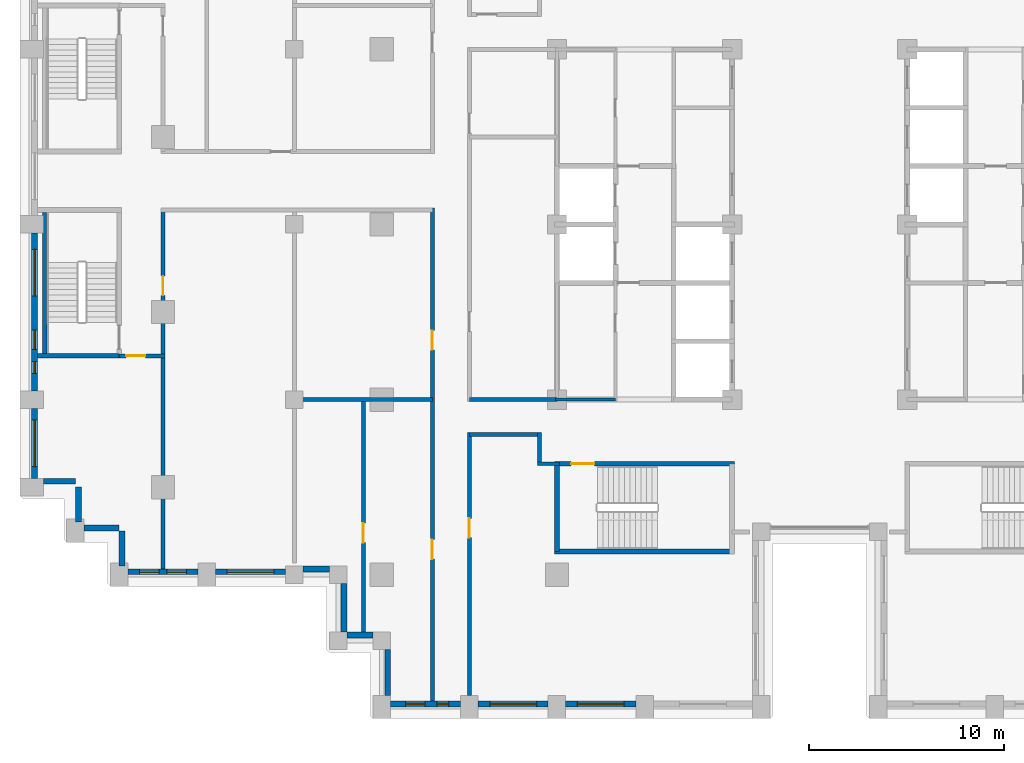
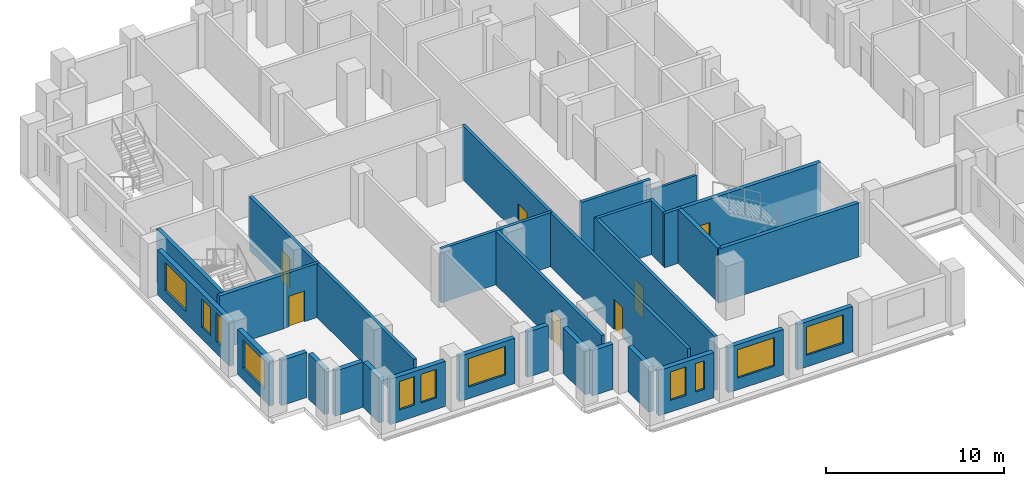
# One storey, part 6 of 15: 31 walls, 11 windows, 7 doors, 18 openings.
"""IFC4 building model written with IfcOpenShell, lengths in metres."""

from ifc_helpers import new_model, si_unit, direction, frame, frame_2d, origin, place, context, subcontext, project, spatial, rectangle, extrude, material, layer, layer_set, type_object, element, fill, save


model = new_model("IFC4")

# Units and contexts
model_context = context("Model", 3, precision=1e-05, world=origin(), true_north=direction((0.0, 1.0)))
body_context = subcontext(model_context, "Body", "Model", "MODEL_VIEW")
ifc_project = project(units=[si_unit("LENGTHUNIT", "METRE"), si_unit("AREAUNIT", "SQUARE_METRE"), si_unit("VOLUMEUNIT", "CUBIC_METRE"), si_unit("PLANEANGLEUNIT", "RADIAN"), si_unit("MASSUNIT", "GRAM", prefix="KILO")], contexts=[model_context])

# Site, building, storey
site_placement = place(None, origin())
site = spatial("IfcSite", under=ifc_project, at=site_placement, CompositionType="ELEMENT")
building_placement = place(site_placement, origin())
building = spatial("IfcBuilding", under=site, at=building_placement, Name="Corbelhall Arena Tower", CompositionType="ELEMENT")
storey_placement = place(building_placement, frame((0.0, 0.0, 100.0)))
storey = spatial("IfcBuildingStorey", under=building, at=storey_placement, Name="L17", CompositionType="ELEMENT", Elevation=100.0)

# Walls
ifc_material_1 = material(Name="Precast concrete C40/50 with granite facing", Category="masonry")
ifc_layer_1 = layer(ifc_material_1, 0.300048828125)
ifc_layer_set_1 = layer_set([ifc_layer_1], Name="EV-IW1 Infill panel 300")
wall_type_1 = type_object("IfcWallType", Name="EV-IW1 Infill panel 300", PredefinedType="SOLIDWALL", material=ifc_layer_set_1)
wall_1_placement = place(storey_placement, frame((-39.89990234375, -13.199951171875, 0.0), z_axis=(0.0, 0.0, 1.0), x_axis=(1.0, 0.0, 0.0)))
element("IfcWall", 1, at=wall_1_placement, inside=storey, type_object=wall_type_1, Name="Infill panel IW1", PredefinedType="SOLIDWALL", context=body_context, shape_type="SweptSolid", body=[
    extrude(rectangle(XDim=1.64990234375, YDim=0.300048828125, at=frame_2d((0.824951171875, 0.0))), origin(), (0.0, 0.0, 1.0), 3.10009765625),
])
for number, where, z_axis, x_axis, name in (
    (2, (-38.10009765625, -15.300048828125, 0.0), (0.0, 0.0, 1.0), (0.0, 1.0, 0.0), "Infill panel IW1"),
    (3, (-37.800048828125, -15.60009765625, 0.0), (0.0, 0.0, 1.0), (1.0, 0.0, 0.0), "Infill panel IW1"),
    (4, (-35.85009765625, -17.550048828125, 0.0), (0.0, 0.0, 1.0), (0.0, 1.0, 0.0), "Infill panel IW1"),
):
    element("IfcWall", number, at=place(storey_placement, frame(where, z_axis=z_axis, x_axis=x_axis)), inside=storey, type_object=wall_type_1, Name=name, PredefinedType="SOLIDWALL", context=body_context, shape_type="SweptSolid", body=[
        extrude(rectangle(XDim=1.800048828125, YDim=0.300048828125, at=frame_2d((0.89990234375, 0.0))), origin(), (0.0, 0.0, 1.0), 3.10009765625),
    ])

# Wall, openings, windows
wall_2_placement = place(storey_placement, frame((-40.35009765625, -0.449951171875, 0.0), z_axis=(0.0, 0.0, 1.0), x_axis=(0.0, -1.0, 0.0)))
wall_2 = element("IfcWall", 5, at=wall_2_placement, inside=storey, type_object=wall_type_1, Name="Infill panel IW1", PredefinedType="SOLIDWALL", context=body_context, shape_type="SweptSolid", body=[
    extrude(rectangle(XDim=8.10009765625, YDim=0.300048828125, at=frame_2d((4.050048828125, 0.0))), origin(), (0.0, 0.0, 1.0), 3.10009765625),
])
opening_1_placement = place(wall_2_placement, frame((0.824951171875, 0.0, 0.800048828125)))
opening_1 = element("IfcOpeningElement", 6, at=opening_1_placement, cuts=wall_2, Name="Opening WN1", PredefinedType="OPENING", context=body_context, shape_type="SweptSolid", body=[
    extrude(rectangle(XDim=2.39990234375, YDim=1.949951171875, at=frame_2d((1.199951171875, 0.97509765625))), frame((0.0, 0.14990234375, 0.0), z_axis=(0.0, -1.0, 0.0), x_axis=(1.0, 0.0, 0.0)), (0.0, 0.0, 1.0), 0.300048828125),
])
opening_2_placement = place(wall_2_placement, frame((4.97509765625, 0.0, 0.800048828125)))
opening_2 = element("IfcOpeningElement", 7, at=opening_2_placement, cuts=wall_2, Name="Opening WN6", PredefinedType="OPENING", context=body_context, shape_type="SweptSolid", body=[
    extrude(rectangle(XDim=1.0, YDim=1.949951171875, at=frame_2d((0.5, 0.97509765625))), frame((0.0, 0.14990234375, 0.0), z_axis=(0.0, -1.0, 0.0), x_axis=(1.0, 0.0, 0.0)), (0.0, 0.0, 1.0), 0.300048828125),
])
opening_3_placement = place(wall_2_placement, frame((6.60009765625, 0.0, 0.800048828125)))
opening_3 = element("IfcOpeningElement", 8, at=opening_3_placement, cuts=wall_2, Name="Opening WN5", PredefinedType="OPENING", context=body_context, shape_type="SweptSolid", body=[
    extrude(rectangle(XDim=0.60009765625, YDim=1.949951171875, at=frame_2d((0.300048828125, 0.97509765625))), frame((0.0, 0.14990234375, 0.0), z_axis=(0.0, -1.0, 0.0), x_axis=(1.0, 0.0, 0.0)), (0.0, 0.0, 1.0), 0.300048828125),
])
ifc_material_2 = material(Name="Aluminium black anodised", Category="aluminium")
window_type_1 = type_object("IfcWindowType", Name="EV-WN1 Office window", PartitioningType="SINGLE_PANEL", PredefinedType="WINDOW", material=ifc_material_2)
window_1_placement = place(opening_1_placement, origin())
window_1 = element("IfcWindow", 9, at=window_1_placement, inside=storey, type_object=window_type_1, Name="Window WN1", OverallHeight=1.949951171875, OverallWidth=2.39990234375, PartitioningType="SINGLE_PANEL", PredefinedType="WINDOW", context=body_context, shape_type="SweptSolid", body=[
    extrude(rectangle(XDim=2.39990234375, YDim=1.949951171875, at=frame_2d((1.199951171875, 0.97509765625))), frame((0.0, 0.030029296875, 0.0), z_axis=(0.0, -1.0, 0.0), x_axis=(1.0, 0.0, 0.0)), (0.0, 0.0, 1.0), 0.06005859375),
])
fill(opening_1, window_1)
window_type_2 = type_object("IfcWindowType", Name="EV-WN5 Office window 600", PartitioningType="SINGLE_PANEL", PredefinedType="WINDOW", material=ifc_material_2)
window_2_placement = place(opening_3_placement, origin())
window_2 = element("IfcWindow", 10, at=window_2_placement, inside=storey, type_object=window_type_2, Name="Window WN5", OverallHeight=1.949951171875, OverallWidth=0.60009765625, PartitioningType="SINGLE_PANEL", PredefinedType="WINDOW", context=body_context, shape_type="SweptSolid", body=[
    extrude(rectangle(XDim=0.60009765625, YDim=1.949951171875, at=frame_2d((0.300048828125, 0.97509765625))), frame((0.0, 0.030029296875, 0.0), z_axis=(0.0, -1.0, 0.0), x_axis=(1.0, 0.0, 0.0)), (0.0, 0.0, 1.0), 0.06005859375),
])
fill(opening_3, window_2)
window_type_3 = type_object("IfcWindowType", Name="EV-WN6 Office window 1000", PartitioningType="SINGLE_PANEL", PredefinedType="WINDOW", material=ifc_material_2)
window_3_placement = place(opening_2_placement, origin())
window_3 = element("IfcWindow", 11, at=window_3_placement, inside=storey, type_object=window_type_3, Name="Window WN6", OverallHeight=1.949951171875, OverallWidth=1.0, PartitioningType="SINGLE_PANEL", PredefinedType="WINDOW", context=body_context, shape_type="SweptSolid", body=[
    extrude(rectangle(XDim=1.0, YDim=1.949951171875, at=frame_2d((0.5, 0.97509765625))), frame((0.0, 0.030029296875, 0.0), z_axis=(0.0, -1.0, 0.0), x_axis=(1.0, 0.0, 0.0)), (0.0, 0.0, 1.0), 0.06005859375),
])
fill(opening_2, window_3)

# Wall, opening, window
wall_3_placement = place(storey_placement, frame((-40.35009765625, -9.449951171875, 0.0), z_axis=(0.0, 0.0, 1.0), x_axis=(0.0, -1.0, 0.0)))
wall_3 = element("IfcWall", 12, at=wall_3_placement, inside=storey, type_object=wall_type_1, Name="Infill panel IW1", PredefinedType="SOLIDWALL", context=body_context, shape_type="SweptSolid", body=[
    extrude(rectangle(XDim=3.60009765625, YDim=0.300048828125, at=frame_2d((1.800048828125, 0.0))), origin(), (0.0, 0.0, 1.0), 3.10009765625),
])
opening_4_placement = place(wall_3_placement, frame((0.60009765625, 0.0, 0.800048828125)))
opening_4 = element("IfcOpeningElement", 13, at=opening_4_placement, cuts=wall_3, Name="Opening WN1", PredefinedType="OPENING", context=body_context, shape_type="SweptSolid", body=[
    extrude(rectangle(XDim=2.39990234375, YDim=1.949951171875, at=frame_2d((1.199951171875, 0.97509765625))), frame((0.0, 0.14990234375, 0.0), z_axis=(0.0, -1.0, 0.0), x_axis=(1.0, 0.0, 0.0)), (0.0, 0.0, 1.0), 0.300048828125),
])
window_4_placement = place(opening_4_placement, origin())
window_4 = element("IfcWindow", 14, at=window_4_placement, inside=storey, type_object=window_type_1, Name="Window WN1", OverallHeight=1.949951171875, OverallWidth=2.39990234375, PartitioningType="SINGLE_PANEL", PredefinedType="WINDOW", context=body_context, shape_type="SweptSolid", body=[
    extrude(rectangle(XDim=2.39990234375, YDim=1.949951171875, at=frame_2d((1.199951171875, 0.97509765625))), frame((0.0, 0.030029296875, 0.0), z_axis=(0.0, -1.0, 0.0), x_axis=(1.0, 0.0, 0.0)), (0.0, 0.0, 1.0), 0.06005859375),
])
fill(opening_4, window_4)

# Wall, openings, windows
wall_4_placement = place(storey_placement, frame((-35.550048828125, -17.85009765625, 0.0), z_axis=(0.0, 0.0, 1.0), x_axis=(1.0, 0.0, 0.0)))
wall_4 = element("IfcWall", 15, at=wall_4_placement, inside=storey, type_object=wall_type_1, Name="Infill panel IW1", PredefinedType="SOLIDWALL", context=body_context, shape_type="SweptSolid", body=[
    extrude(rectangle(XDim=3.60009765625, YDim=0.300048828125, at=frame_2d((1.800048828125, 0.0))), origin(), (0.0, 0.0, 1.0), 3.10009765625),
])
opening_5_placement = place(wall_4_placement, frame((0.60009765625, 0.0, 0.800048828125)))
opening_5 = element("IfcOpeningElement", 16, at=opening_5_placement, cuts=wall_4, Name="Opening WN6", PredefinedType="OPENING", context=body_context, shape_type="SweptSolid", body=[
    extrude(rectangle(XDim=1.0, YDim=1.949951171875, at=frame_2d((0.5, 0.97509765625))), frame((0.0, 0.14990234375, 0.0), z_axis=(0.0, -1.0, 0.0), x_axis=(1.0, 0.0, 0.0)), (0.0, 0.0, 1.0), 0.300048828125),
])
opening_6_placement = place(wall_4_placement, frame((2.0, 0.0, 0.800048828125)))
opening_6 = element("IfcOpeningElement", 17, at=opening_6_placement, cuts=wall_4, Name="Opening WN6", PredefinedType="OPENING", context=body_context, shape_type="SweptSolid", body=[
    extrude(rectangle(XDim=1.0, YDim=1.949951171875, at=frame_2d((0.5, 0.97509765625))), frame((0.0, 0.14990234375, 0.0), z_axis=(0.0, -1.0, 0.0), x_axis=(1.0, 0.0, 0.0)), (0.0, 0.0, 1.0), 0.300048828125),
])
window_5_placement = place(opening_5_placement, origin())
window_5 = element("IfcWindow", 18, at=window_5_placement, inside=storey, type_object=window_type_3, Name="Window WN6", OverallHeight=1.949951171875, OverallWidth=1.0, PartitioningType="SINGLE_PANEL", PredefinedType="WINDOW", context=body_context, shape_type="SweptSolid", body=[
    extrude(rectangle(XDim=1.0, YDim=1.949951171875, at=frame_2d((0.5, 0.97509765625))), frame((0.0, 0.030029296875, 0.0), z_axis=(0.0, -1.0, 0.0), x_axis=(1.0, 0.0, 0.0)), (0.0, 0.0, 1.0), 0.06005859375),
])
fill(opening_5, window_5)
window_6_placement = place(opening_6_placement, origin())
window_6 = element("IfcWindow", 19, at=window_6_placement, inside=storey, type_object=window_type_3, Name="Window WN6", OverallHeight=1.949951171875, OverallWidth=1.0, PartitioningType="SINGLE_PANEL", PredefinedType="WINDOW", context=body_context, shape_type="SweptSolid", body=[
    extrude(rectangle(XDim=1.0, YDim=1.949951171875, at=frame_2d((0.5, 0.97509765625))), frame((0.0, 0.030029296875, 0.0), z_axis=(0.0, -1.0, 0.0), x_axis=(1.0, 0.0, 0.0)), (0.0, 0.0, 1.0), 0.06005859375),
])
fill(opening_6, window_6)

# Wall, opening, window
wall_5_placement = place(storey_placement, frame((-31.050048828125, -17.85009765625, 0.0), z_axis=(0.0, 0.0, 1.0), x_axis=(1.0, 0.0, 0.0)))
wall_5 = element("IfcWall", 20, at=wall_5_placement, inside=storey, type_object=wall_type_1, Name="Infill panel IW1", PredefinedType="SOLIDWALL", context=body_context, shape_type="SweptSolid", body=[
    extrude(rectangle(XDim=3.60009765625, YDim=0.300048828125, at=frame_2d((1.800048828125, 0.0))), origin(), (0.0, 0.0, 1.0), 3.10009765625),
])
opening_7_placement = place(wall_5_placement, frame((0.60009765625, 0.0, 0.800048828125)))
opening_7 = element("IfcOpeningElement", 21, at=opening_7_placement, cuts=wall_5, Name="Opening WN1", PredefinedType="OPENING", context=body_context, shape_type="SweptSolid", body=[
    extrude(rectangle(XDim=2.39990234375, YDim=1.949951171875, at=frame_2d((1.199951171875, 0.97509765625))), frame((0.0, 0.14990234375, 0.0), z_axis=(0.0, -1.0, 0.0), x_axis=(1.0, 0.0, 0.0)), (0.0, 0.0, 1.0), 0.300048828125),
])
window_7_placement = place(opening_7_placement, origin())
window_7 = element("IfcWindow", 22, at=window_7_placement, inside=storey, type_object=window_type_1, Name="Window WN1", OverallHeight=1.949951171875, OverallWidth=2.39990234375, PartitioningType="SINGLE_PANEL", PredefinedType="WINDOW", context=body_context, shape_type="SweptSolid", body=[
    extrude(rectangle(XDim=2.39990234375, YDim=1.949951171875, at=frame_2d((1.199951171875, 0.97509765625))), frame((0.0, 0.030029296875, 0.0), z_axis=(0.0, -1.0, 0.0), x_axis=(1.0, 0.0, 0.0)), (0.0, 0.0, 1.0), 0.06005859375),
])
fill(opening_7, window_7)

# Walls
wall_6_placement = place(storey_placement, frame((-26.550048828125, -17.699951171875, 0.0), z_axis=(0.0, 0.0, 1.0), x_axis=(1.0, 0.0, 0.0)))
element("IfcWall", 23, at=wall_6_placement, inside=storey, type_object=wall_type_1, Name="Infill panel IW1", PredefinedType="SOLIDWALL", context=body_context, shape_type="SweptSolid", body=[
    extrude(rectangle(XDim=1.35009765625, YDim=0.300048828125, at=frame_2d((0.675048828125, 0.0))), origin(), (0.0, 0.0, 1.0), 3.10009765625),
])
wall_7_placement = place(storey_placement, frame((-24.449951171875, -18.449951171875, 0.0), z_axis=(0.0, 0.0, 1.0), x_axis=(0.0, -1.0, 0.0)))
element("IfcWall", 24, at=wall_7_placement, inside=storey, type_object=wall_type_1, Name="Infill panel IW1", PredefinedType="SOLIDWALL", context=body_context, shape_type="SweptSolid", body=[
    extrude(rectangle(XDim=2.5, YDim=0.300048828125, at=frame_2d((1.25, 0.0))), origin(), (0.0, 0.0, 1.0), 3.10009765625),
])
wall_8_placement = place(storey_placement, frame((-24.300048828125, -21.10009765625, 0.0), z_axis=(0.0, 0.0, 1.0), x_axis=(1.0, 0.0, 0.0)))
element("IfcWall", 25, at=wall_8_placement, inside=storey, type_object=wall_type_1, Name="Infill panel IW1", PredefinedType="SOLIDWALL", context=body_context, shape_type="SweptSolid", body=[
    extrude(rectangle(XDim=1.35009765625, YDim=0.300048828125, at=frame_2d((0.675048828125, 0.0))), origin(), (0.0, 0.0, 1.0), 3.10009765625),
])
wall_9_placement = place(storey_placement, frame((-22.199951171875, -21.85009765625, 0.0), z_axis=(0.0, 0.0, 1.0), x_axis=(0.0, -1.0, 0.0)))
element("IfcWall", 26, at=wall_9_placement, inside=storey, type_object=wall_type_1, Name="Infill panel IW1", PredefinedType="SOLIDWALL", context=body_context, shape_type="SweptSolid", body=[
    extrude(rectangle(XDim=2.349853515625, YDim=0.300048828125, at=frame_2d((1.1748046875, 0.0))), origin(), (0.0, 0.0, 1.0), 3.10009765625),
])

# Wall, openings, windows
wall_10_placement = place(storey_placement, frame((-22.050048828125, -24.64990234375, 0.0), z_axis=(0.0, 0.0, 1.0), x_axis=(1.0, 0.0, 0.0)))
wall_10 = element("IfcWall", 27, at=wall_10_placement, inside=storey, type_object=wall_type_1, Name="Infill panel IW1", PredefinedType="SOLIDWALL", context=body_context, shape_type="SweptSolid", body=[
    extrude(rectangle(XDim=3.60009765625, YDim=0.300048828125, at=frame_2d((1.800048828125, 0.0))), origin(), (0.0, 0.0, 1.0), 3.10009765625),
])
opening_8_placement = place(wall_10_placement, frame((0.77490234375, 0.0, 0.800048828125)))
opening_8 = element("IfcOpeningElement", 28, at=opening_8_placement, cuts=wall_10, Name="Opening WN6", PredefinedType="OPENING", context=body_context, shape_type="SweptSolid", body=[
    extrude(rectangle(XDim=1.0, YDim=1.949951171875, at=frame_2d((0.5, 0.97509765625))), frame((0.0, 0.14990234375, 0.0), z_axis=(0.0, -1.0, 0.0), x_axis=(1.0, 0.0, 0.0)), (0.0, 0.0, 1.0), 0.300048828125),
])
opening_9_placement = place(wall_10_placement, frame((2.375, 0.0, 0.800048828125)))
opening_9 = element("IfcOpeningElement", 29, at=opening_9_placement, cuts=wall_10, Name="Opening WN5", PredefinedType="OPENING", context=body_context, shape_type="SweptSolid", body=[
    extrude(rectangle(XDim=0.60009765625, YDim=1.949951171875, at=frame_2d((0.300048828125, 0.97509765625))), frame((0.0, 0.14990234375, 0.0), z_axis=(0.0, -1.0, 0.0), x_axis=(1.0, 0.0, 0.0)), (0.0, 0.0, 1.0), 0.300048828125),
])
window_8_placement = place(opening_9_placement, origin())
window_8 = element("IfcWindow", 30, at=window_8_placement, inside=storey, type_object=window_type_2, Name="Window WN5", OverallHeight=1.949951171875, OverallWidth=0.60009765625, PartitioningType="SINGLE_PANEL", PredefinedType="WINDOW", context=body_context, shape_type="SweptSolid", body=[
    extrude(rectangle(XDim=0.60009765625, YDim=1.949951171875, at=frame_2d((0.300048828125, 0.97509765625))), frame((0.0, 0.030029296875, 0.0), z_axis=(0.0, -1.0, 0.0), x_axis=(1.0, 0.0, 0.0)), (0.0, 0.0, 1.0), 0.06005859375),
])
fill(opening_9, window_8)
window_9_placement = place(opening_8_placement, origin())
window_9 = element("IfcWindow", 31, at=window_9_placement, inside=storey, type_object=window_type_3, Name="Window WN6", OverallHeight=1.949951171875, OverallWidth=1.0, PartitioningType="SINGLE_PANEL", PredefinedType="WINDOW", context=body_context, shape_type="SweptSolid", body=[
    extrude(rectangle(XDim=1.0, YDim=1.949951171875, at=frame_2d((0.5, 0.97509765625))), frame((0.0, 0.030029296875, 0.0), z_axis=(0.0, -1.0, 0.0), x_axis=(1.0, 0.0, 0.0)), (0.0, 0.0, 1.0), 0.06005859375),
])
fill(opening_8, window_9)

# Wall, opening, window
wall_11_placement = place(storey_placement, frame((-17.550048828125, -24.64990234375, 0.0), z_axis=(0.0, 0.0, 1.0), x_axis=(1.0, 0.0, 0.0)))
wall_11 = element("IfcWall", 32, at=wall_11_placement, inside=storey, type_object=wall_type_1, Name="Infill panel IW1", PredefinedType="SOLIDWALL", context=body_context, shape_type="SweptSolid", body=[
    extrude(rectangle(XDim=3.60009765625, YDim=0.300048828125, at=frame_2d((1.800048828125, 0.0))), origin(), (0.0, 0.0, 1.0), 3.10009765625),
])
opening_10_placement = place(wall_11_placement, frame((0.60009765625, 0.0, 0.800048828125)))
opening_10 = element("IfcOpeningElement", 33, at=opening_10_placement, cuts=wall_11, Name="Opening WN1", PredefinedType="OPENING", context=body_context, shape_type="SweptSolid", body=[
    extrude(rectangle(XDim=2.39990234375, YDim=1.949951171875, at=frame_2d((1.199951171875, 0.97509765625))), frame((0.0, 0.14990234375, 0.0), z_axis=(0.0, -1.0, 0.0), x_axis=(1.0, 0.0, 0.0)), (0.0, 0.0, 1.0), 0.300048828125),
])
window_10_placement = place(opening_10_placement, origin())
window_10 = element("IfcWindow", 34, at=window_10_placement, inside=storey, type_object=window_type_1, Name="Window WN1", OverallHeight=1.949951171875, OverallWidth=2.39990234375, PartitioningType="SINGLE_PANEL", PredefinedType="WINDOW", context=body_context, shape_type="SweptSolid", body=[
    extrude(rectangle(XDim=2.39990234375, YDim=1.949951171875, at=frame_2d((1.199951171875, 0.97509765625))), frame((0.0, 0.030029296875, 0.0), z_axis=(0.0, -1.0, 0.0), x_axis=(1.0, 0.0, 0.0)), (0.0, 0.0, 1.0), 0.06005859375),
])
fill(opening_10, window_10)

wall_12_placement = place(storey_placement, frame((-13.050048828125, -24.64990234375, 0.0), z_axis=(0.0, 0.0, 1.0), x_axis=(1.0, 0.0, 0.0)))
wall_12 = element("IfcWall", 35, at=wall_12_placement, inside=storey, type_object=wall_type_1, Name="Infill panel IW1", PredefinedType="SOLIDWALL", context=body_context, shape_type="SweptSolid", body=[
    extrude(rectangle(XDim=3.60009765625, YDim=0.300048828125, at=frame_2d((1.800048828125, 0.0))), origin(), (0.0, 0.0, 1.0), 3.10009765625),
])
opening_11_placement = place(wall_12_placement, frame((0.60009765625, 0.0, 0.800048828125)))
opening_11 = element("IfcOpeningElement", 36, at=opening_11_placement, cuts=wall_12, Name="Opening WN1", PredefinedType="OPENING", context=body_context, shape_type="SweptSolid", body=[
    extrude(rectangle(XDim=2.39990234375, YDim=1.949951171875, at=frame_2d((1.199951171875, 0.97509765625))), frame((0.0, 0.14990234375, 0.0), z_axis=(0.0, -1.0, 0.0), x_axis=(1.0, 0.0, 0.0)), (0.0, 0.0, 1.0), 0.300048828125),
])
window_11_placement = place(opening_11_placement, origin())
window_11 = element("IfcWindow", 37, at=window_11_placement, inside=storey, type_object=window_type_1, Name="Window WN1", OverallHeight=1.949951171875, OverallWidth=2.39990234375, PartitioningType="SINGLE_PANEL", PredefinedType="WINDOW", context=body_context, shape_type="SweptSolid", body=[
    extrude(rectangle(XDim=2.39990234375, YDim=1.949951171875, at=frame_2d((1.199951171875, 0.97509765625))), frame((0.0, 0.030029296875, 0.0), z_axis=(0.0, -1.0, 0.0), x_axis=(1.0, 0.0, 0.0)), (0.0, 0.0, 1.0), 0.06005859375),
])
fill(opening_11, window_11)

# Wall, opening, door
ifc_material_3 = material(Name="Gypsum board on steel stud, acoustic", Category="steel")
ifc_layer_2 = layer(ifc_material_3, 0.199951171875)
ifc_layer_set_2 = layer_set([ifc_layer_2], Name="IN-W-DM200")
wall_type_2 = type_object("IfcWallType", Name="IN-W-DM200", PredefinedType="PARTITIONING", material=ifc_layer_set_2)
wall_13_placement = place(storey_placement, frame((-33.75, 0.75, 0.0), z_axis=(0.0, 0.0, 1.0), x_axis=(0.0, -1.0, 0.0)))
wall_13 = element("IfcWall", 38, at=wall_13_placement, inside=storey, type_object=wall_type_2, Name="Partition 003", PredefinedType="PARTITIONING", context=body_context, shape_type="SweptSolid", body=[
    extrude(rectangle(XDim=18.449951171875, YDim=0.199951171875, at=frame_2d((9.22509765625, 0.0))), origin(), (0.0, 0.0, 1.0), 3.699951171875),
])
opening_12_placement = place(wall_13_placement, frame((3.39990234375, 0.0, 0.0)))
opening_12 = element("IfcOpeningElement", 39, at=opening_12_placement, cuts=wall_13, Name="Opening 03044", PredefinedType="OPENING", context=body_context, shape_type="SweptSolid", body=[
    extrude(rectangle(XDim=1.0, YDim=2.10009765625, at=frame_2d((0.5, 1.050048828125))), frame((0.0, 0.10009765625, 0.0), z_axis=(0.0, -1.0, 0.0), x_axis=(1.0, 0.0, 0.0)), (0.0, 0.0, 1.0), 0.199951171875),
])
ifc_material_4 = material(Name="Steel door set", Category="steel")
door_type_1 = type_object("IfcDoorType", Name="IN-D-SW100", OperationType="NOTDEFINED", PredefinedType="DOOR", material=ifc_material_4)
door_1_placement = place(opening_12_placement, origin())
door_1 = element("IfcDoor", 40, at=door_1_placement, inside=storey, type_object=door_type_1, Name="Door 044", OperationType="SINGLE_SWING_LEFT", OverallHeight=2.10009765625, OverallWidth=1.0, PredefinedType="DOOR", context=body_context, shape_type="SweptSolid", body=[
    extrude(rectangle(XDim=1.0, YDim=2.10009765625, at=frame_2d((0.5, 1.050048828125))), frame((0.0, 0.02490234375, 0.0), z_axis=(0.0, -1.0, 0.0), x_axis=(1.0, 0.0, 0.0)), (0.0, 0.0, 1.0), 0.050048828125),
])
fill(opening_12, door_1)

wall_14_placement = place(storey_placement, frame((-33.64990234375, -6.75, 0.0), z_axis=(0.0, 0.0, 1.0), x_axis=(-1.0, 0.0, 0.0)))
wall_14 = element("IfcWall", 41, at=wall_14_placement, inside=storey, type_object=wall_type_2, Name="Partition 005", PredefinedType="PARTITIONING", context=body_context, shape_type="SweptSolid", body=[
    extrude(rectangle(XDim=2.35009765625, YDim=0.199951171875, at=frame_2d((1.175048828125, 0.0))), origin(), (0.0, 0.0, 1.0), 3.699951171875),
])
opening_13_placement = place(wall_14_placement, frame((1.0, 0.0, 0.0)))
opening_13 = element("IfcOpeningElement", 42, at=opening_13_placement, cuts=wall_14, Name="Opening 03043", PredefinedType="OPENING", context=body_context, shape_type="SweptSolid", body=[
    extrude(rectangle(XDim=1.0, YDim=2.10009765625, at=frame_2d((0.5, 1.050048828125))), frame((0.0, 0.10009765625, 0.0), z_axis=(0.0, -1.0, 0.0), x_axis=(1.0, 0.0, 0.0)), (0.0, 0.0, 1.0), 0.199951171875),
])
door_2_placement = place(opening_13_placement, origin())
door_2 = element("IfcDoor", 43, at=door_2_placement, inside=storey, type_object=door_type_1, Name="Door 043", OperationType="SINGLE_SWING_RIGHT", OverallHeight=2.10009765625, OverallWidth=1.0, PredefinedType="DOOR", context=body_context, shape_type="SweptSolid", body=[
    extrude(rectangle(XDim=1.0, YDim=2.10009765625, at=frame_2d((0.5, 1.050048828125))), frame((0.0, 0.02490234375, 0.0), z_axis=(0.0, -1.0, 0.0), x_axis=(1.0, 0.0, 0.0)), (0.0, 0.0, 1.0), 0.050048828125),
])
fill(opening_13, door_2)

# Wall
wall_15_placement = place(storey_placement, frame((-27.10009765625, -9.0, 0.0), z_axis=(0.0, 0.0, 1.0), x_axis=(1.0, 0.0, 0.0)))
element("IfcWall", 44, at=wall_15_placement, inside=storey, type_object=wall_type_2, Name="Partition 007", PredefinedType="PARTITIONING", context=body_context, shape_type="SweptSolid", body=[
    extrude(rectangle(XDim=7.2001953125, YDim=0.199951171875, at=frame_2d((3.60009765625, 0.0))), origin(), (0.0, 0.0, 1.0), 3.699951171875),
])

# Wall, opening, door
wall_16_placement = place(storey_placement, frame((-23.449951171875, -20.949951171875, 0.0), z_axis=(0.0, 0.0, 1.0), x_axis=(0.0, 1.0, 0.0)))
wall_16 = element("IfcWall", 45, at=wall_16_placement, inside=storey, type_object=wall_type_2, Name="Partition 012", PredefinedType="PARTITIONING", context=body_context, shape_type="SweptSolid", body=[
    extrude(rectangle(XDim=12.050048828125, YDim=0.199951171875, at=frame_2d((6.02490234375, 0.0))), origin(), (0.0, 0.0, 1.0), 3.699951171875),
])
opening_14_placement = place(wall_16_placement, frame((4.60009765625, 0.0, 0.0)))
opening_14 = element("IfcOpeningElement", 46, at=opening_14_placement, cuts=wall_16, Name="Opening 03032", PredefinedType="OPENING", context=body_context, shape_type="SweptSolid", body=[
    extrude(rectangle(XDim=1.0, YDim=2.10009765625, at=frame_2d((0.5, 1.050048828125))), frame((0.0, 0.10009765625, 0.0), z_axis=(0.0, -1.0, 0.0), x_axis=(1.0, 0.0, 0.0)), (0.0, 0.0, 1.0), 0.199951171875),
])
door_3_placement = place(opening_14_placement, origin())
door_3 = element("IfcDoor", 47, at=door_3_placement, inside=storey, type_object=door_type_1, Name="Door 032", OperationType="SINGLE_SWING_LEFT", OverallHeight=2.10009765625, OverallWidth=1.0, PredefinedType="DOOR", context=body_context, shape_type="SweptSolid", body=[
    extrude(rectangle(XDim=1.0, YDim=2.10009765625, at=frame_2d((0.5, 1.050048828125))), frame((0.0, 0.02490234375, 0.0), z_axis=(0.0, -1.0, 0.0), x_axis=(1.0, 0.0, 0.0)), (0.0, 0.0, 1.0), 0.050048828125),
])
fill(opening_14, door_3)

# Wall, openings, doors
wall_17_placement = place(storey_placement, frame((-19.89990234375, -24.5, 0.0), z_axis=(0.0, 0.0, 1.0), x_axis=(0.0, 1.0, 0.0)))
wall_17 = element("IfcWall", 48, at=wall_17_placement, inside=storey, type_object=wall_type_2, Name="Partition 014", PredefinedType="PARTITIONING", context=body_context, shape_type="SweptSolid", body=[
    extrude(rectangle(XDim=25.35009765625, YDim=0.199951171875, at=frame_2d((12.675048828125, 0.0))), origin(), (0.0, 0.0, 1.0), 3.699951171875),
])
opening_15_placement = place(wall_17_placement, frame((7.300048828125, 0.0, 0.0)))
opening_15 = element("IfcOpeningElement", 49, at=opening_15_placement, cuts=wall_17, Name="Opening 03031", PredefinedType="OPENING", context=body_context, shape_type="SweptSolid", body=[
    extrude(rectangle(XDim=1.0, YDim=2.10009765625, at=frame_2d((0.5, 1.050048828125))), frame((0.0, 0.10009765625, 0.0), z_axis=(0.0, -1.0, 0.0), x_axis=(1.0, 0.0, 0.0)), (0.0, 0.0, 1.0), 0.199951171875),
])
opening_16_placement = place(wall_17_placement, frame((18.050048828125, 0.0, 0.0)))
opening_16 = element("IfcOpeningElement", 50, at=opening_16_placement, cuts=wall_17, Name="Opening 03033", PredefinedType="OPENING", context=body_context, shape_type="SweptSolid", body=[
    extrude(rectangle(XDim=1.0, YDim=2.10009765625, at=frame_2d((0.5, 1.050048828125))), frame((0.0, 0.10009765625, 0.0), z_axis=(0.0, -1.0, 0.0), x_axis=(1.0, 0.0, 0.0)), (0.0, 0.0, 1.0), 0.199951171875),
])
door_4_placement = place(opening_15_placement, origin())
door_4 = element("IfcDoor", 51, at=door_4_placement, inside=storey, type_object=door_type_1, Name="Door 031", OperationType="SINGLE_SWING_RIGHT", OverallHeight=2.10009765625, OverallWidth=1.0, PredefinedType="DOOR", context=body_context, shape_type="SweptSolid", body=[
    extrude(rectangle(XDim=1.0, YDim=2.10009765625, at=frame_2d((0.5, 1.050048828125))), frame((0.0, 0.02490234375, 0.0), z_axis=(0.0, -1.0, 0.0), x_axis=(1.0, 0.0, 0.0)), (0.0, 0.0, 1.0), 0.050048828125),
])
fill(opening_15, door_4)
door_5_placement = place(opening_16_placement, origin())
door_5 = element("IfcDoor", 52, at=door_5_placement, inside=storey, type_object=door_type_1, Name="Door 033", OperationType="SINGLE_SWING_RIGHT", OverallHeight=2.10009765625, OverallWidth=1.0, PredefinedType="DOOR", context=body_context, shape_type="SweptSolid", body=[
    extrude(rectangle(XDim=1.0, YDim=2.10009765625, at=frame_2d((0.5, 1.050048828125))), frame((0.0, 0.02490234375, 0.0), z_axis=(0.0, -1.0, 0.0), x_axis=(1.0, 0.0, 0.0)), (0.0, 0.0, 1.0), 0.050048828125),
])
fill(opening_16, door_5)

# Wall, opening, door
wall_18_placement = place(storey_placement, frame((-18.0, -10.699951171875, 0.0), z_axis=(0.0, 0.0, 1.0), x_axis=(0.0, -1.0, 0.0)))
wall_18 = element("IfcWall", 53, at=wall_18_placement, inside=storey, type_object=wall_type_2, Name="Partition 017", PredefinedType="PARTITIONING", context=body_context, shape_type="SweptSolid", body=[
    extrude(rectangle(XDim=13.5, YDim=0.199951171875, at=frame_2d((6.75, 0.0))), origin(), (0.0, 0.0, 1.0), 3.699951171875),
])
opening_17_placement = place(wall_18_placement, frame((4.39990234375, 0.0, 0.0)))
opening_17 = element("IfcOpeningElement", 54, at=opening_17_placement, cuts=wall_18, Name="Opening 03027", PredefinedType="OPENING", context=body_context, shape_type="SweptSolid", body=[
    extrude(rectangle(XDim=1.0, YDim=2.10009765625, at=frame_2d((0.5, 1.050048828125))), frame((0.0, 0.10009765625, 0.0), z_axis=(0.0, -1.0, 0.0), x_axis=(1.0, 0.0, 0.0)), (0.0, 0.0, 1.0), 0.199951171875),
])
door_6_placement = place(opening_17_placement, origin())
door_6 = element("IfcDoor", 55, at=door_6_placement, inside=storey, type_object=door_type_1, Name="Door 027", OperationType="SINGLE_SWING_RIGHT", OverallHeight=2.10009765625, OverallWidth=1.0, PredefinedType="DOOR", context=body_context, shape_type="SweptSolid", body=[
    extrude(rectangle(XDim=1.0, YDim=2.10009765625, at=frame_2d((0.5, 1.050048828125))), frame((0.0, 0.02490234375, 0.0), z_axis=(0.0, -1.0, 0.0), x_axis=(1.0, 0.0, 0.0)), (0.0, 0.0, 1.0), 0.050048828125),
])
fill(opening_17, door_6)

# Walls
wall_19_placement = place(storey_placement, frame((-18.0, -9.0, 0.0), z_axis=(0.0, 0.0, 1.0), x_axis=(1.0, 0.0, 0.0)))
element("IfcWall", 56, at=wall_19_placement, inside=storey, type_object=wall_type_2, Name="Partition 018", PredefinedType="PARTITIONING", context=body_context, shape_type="SweptSolid", body=[
    extrude(rectangle(XDim=4.5, YDim=0.199951171875, at=frame_2d((2.25, 0.0))), origin(), (0.0, 0.0, 1.0), 3.699951171875),
])
wall_20_placement = place(storey_placement, frame((-14.39990234375, -12.300048828125, 0.0), z_axis=(0.0, 0.0, 1.0), x_axis=(0.0, 1.0, 0.0)))
element("IfcWall", 57, at=wall_20_placement, inside=storey, type_object=wall_type_2, Name="Partition 027", PredefinedType="PARTITIONING", context=body_context, shape_type="SweptSolid", body=[
    extrude(rectangle(XDim=1.60009765625, YDim=0.199951171875, at=frame_2d((0.800048828125, 0.0))), origin(), (0.0, 0.0, 1.0), 3.699951171875),
])
wall_21_placement = place(storey_placement, frame((-14.39990234375, -10.800048828125, 0.0), z_axis=(0.0, 0.0, 1.0), x_axis=(-1.0, 0.0, 0.0)))
element("IfcWall", 58, at=wall_21_placement, inside=storey, type_object=wall_type_2, Name="Partition 028", PredefinedType="PARTITIONING", context=body_context, shape_type="SweptSolid", body=[
    extrude(rectangle(XDim=3.60009765625, YDim=0.199951171875, at=frame_2d((1.800048828125, 0.0))), origin(), (0.0, 0.0, 1.0), 3.699951171875),
])
wall_22_placement = place(storey_placement, frame((-13.375, -12.300048828125, 0.0), z_axis=(0.0, 0.0, 1.0), x_axis=(-1.0, 0.0, 0.0)))
element("IfcWall", 59, at=wall_22_placement, inside=storey, type_object=wall_type_2, Name="Partition 031", PredefinedType="PARTITIONING", context=body_context, shape_type="SweptSolid", body=[
    extrude(rectangle(XDim=1.125, YDim=0.199951171875, at=frame_2d((0.5625, 0.0))), origin(), (0.0, 0.0, 1.0), 3.699951171875),
])
ifc_material_5 = material(Name="Concrete C40/50", Category="concrete")
ifc_layer_3 = layer(ifc_material_5, 0.25)
ifc_layer_set_3 = layer_set([ifc_layer_3], Name="IN-W-ST250")
wall_type_3 = type_object("IfcWallType", Name="IN-W-ST250", PredefinedType="SOLIDWALL", material=ifc_layer_set_3)
wall_23_placement = place(storey_placement, frame((-36.0, -6.75, 0.0), z_axis=(0.0, 0.0, 1.0), x_axis=(-1.0, 0.0, 0.0)))
element("IfcWall", 60, at=wall_23_placement, inside=storey, type_object=wall_type_3, Name="Shaft wall 097", PredefinedType="SOLIDWALL", context=body_context, shape_type="SweptSolid", body=[
    extrude(rectangle(XDim=4.199951171875, YDim=0.25, at=frame_2d((2.10009765625, 0.0))), origin(), (0.0, 0.0, 1.0), 3.699951171875),
])
wall_24_placement = place(storey_placement, frame((-13.5, -16.800048828125, 0.0), z_axis=(0.0, 0.0, 1.0), x_axis=(0.0, 1.0, 0.0)))
element("IfcWall", 61, at=wall_24_placement, inside=storey, type_object=wall_type_3, Name="Shaft wall 103", PredefinedType="SOLIDWALL", context=body_context, shape_type="SweptSolid", body=[
    extrude(rectangle(XDim=4.5, YDim=0.25, at=frame_2d((2.25, 0.0))), origin(), (0.0, 0.0, 1.0), 3.699951171875),
])
wall_25_placement = place(storey_placement, frame((-4.5, -16.800048828125, 0.0), z_axis=(0.0, 0.0, 1.0), x_axis=(-1.0, 0.0, 0.0)))
element("IfcWall", 62, at=wall_25_placement, inside=storey, type_object=wall_type_3, Name="Shaft wall 105", PredefinedType="SOLIDWALL", context=body_context, shape_type="SweptSolid", body=[
    extrude(rectangle(XDim=9.125, YDim=0.25, at=frame_2d((4.5625, 0.0))), origin(), (0.0, 0.0, 1.0), 3.699951171875),
])

# Wall, opening, door
wall_26_placement = place(storey_placement, frame((-4.375, -12.300048828125, 0.0), z_axis=(0.0, 0.0, 1.0), x_axis=(-1.0, 0.0, 0.0)))
wall_26 = element("IfcWall", 63, at=wall_26_placement, inside=storey, type_object=wall_type_3, Name="Shaft wall 108", PredefinedType="SOLIDWALL", context=body_context, shape_type="SweptSolid", body=[
    extrude(rectangle(XDim=9.25, YDim=0.25, at=frame_2d((4.625, 0.0))), origin(), (0.0, 0.0, 1.0), 3.699951171875),
])
opening_18_placement = place(wall_26_placement, frame((7.199951171875, 0.0, 0.0)))
opening_18 = element("IfcOpeningElement", 64, at=opening_18_placement, cuts=wall_26, Name="Opening 03014", PredefinedType="OPENING", context=body_context, shape_type="SweptSolid", body=[
    extrude(rectangle(XDim=1.199951171875, YDim=2.10009765625, at=frame_2d((0.60009765625, 1.050048828125))), frame((0.0, 0.125, 0.0), z_axis=(0.0, -1.0, 0.0), x_axis=(1.0, 0.0, 0.0)), (0.0, 0.0, 1.0), 0.25),
])
door_type_2 = type_object("IfcDoorType", Name="IN-D-ST120", OperationType="NOTDEFINED", PredefinedType="DOOR", material=ifc_material_4)
door_7_placement = place(opening_18_placement, origin())
door_7 = element("IfcDoor", 65, at=door_7_placement, inside=storey, type_object=door_type_2, Name="Door 014", OperationType="SINGLE_SWING_LEFT", OverallHeight=2.10009765625, OverallWidth=1.199951171875, PredefinedType="DOOR", context=body_context, shape_type="SweptSolid", body=[
    extrude(rectangle(XDim=1.199951171875, YDim=2.10009765625, at=frame_2d((0.60009765625, 1.050048828125))), frame((0.0, 0.02490234375, 0.0), z_axis=(0.0, -1.0, 0.0), x_axis=(1.0, 0.0, 0.0)), (0.0, 0.0, 1.0), 0.050048828125),
])
fill(opening_18, door_7)

# Walls
wall_27_placement = place(storey_placement, frame((-39.824951171875, -6.625, 0.0), z_axis=(0.0, 0.0, 1.0), x_axis=(0.0, 1.0, 0.0)))
element("IfcWall", 66, at=wall_27_placement, inside=storey, type_object=wall_type_3, Name="Shaft wall SC2 facade side", PredefinedType="SOLIDWALL", context=body_context, shape_type="SweptSolid", body=[
    extrude(rectangle(XDim=7.25, YDim=0.25, at=frame_2d((3.625, 0.0))), origin(), (0.0, 0.0, 1.0), 3.699951171875),
])
ifc_material_6 = material(Name="Gypsum board on steel stud, moisture resistant", Category="steel")
ifc_layer_4 = layer(ifc_material_6, 0.14990234375)
ifc_layer_set_4 = layer_set([ifc_layer_4], Name="IN-W-WC150 under beam 762 mm")
wall_type_4 = type_object("IfcWallType", Name="IN-W-WC150 under beam 762 mm", PredefinedType="PARTITIONING", material=ifc_layer_set_4)
wall_28_placement = place(storey_placement, frame((-10.5, -9.0, 0.0), z_axis=(0.0, 0.0, 1.0), x_axis=(-1.0, 0.0, 0.0)))
element("IfcWall", 67, at=wall_28_placement, inside=storey, type_object=wall_type_4, Name="Partition 127", PredefinedType="PARTITIONING", context=body_context, shape_type="SweptSolid", body=[
    extrude(rectangle(XDim=3.074951171875, YDim=0.14990234375, at=frame_2d((1.53759765625, 0.0))), origin(), (0.0, 0.0, 1.0), 2.93798828125),
])

save(model, "model.ifc")
